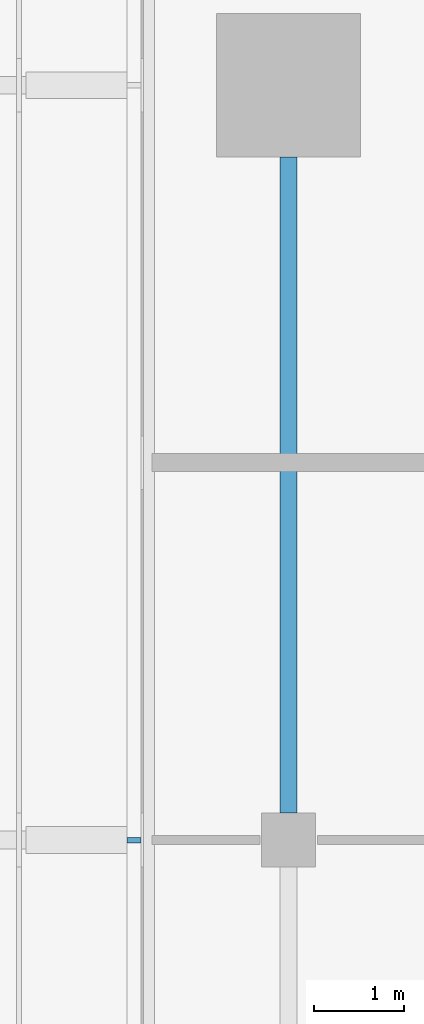
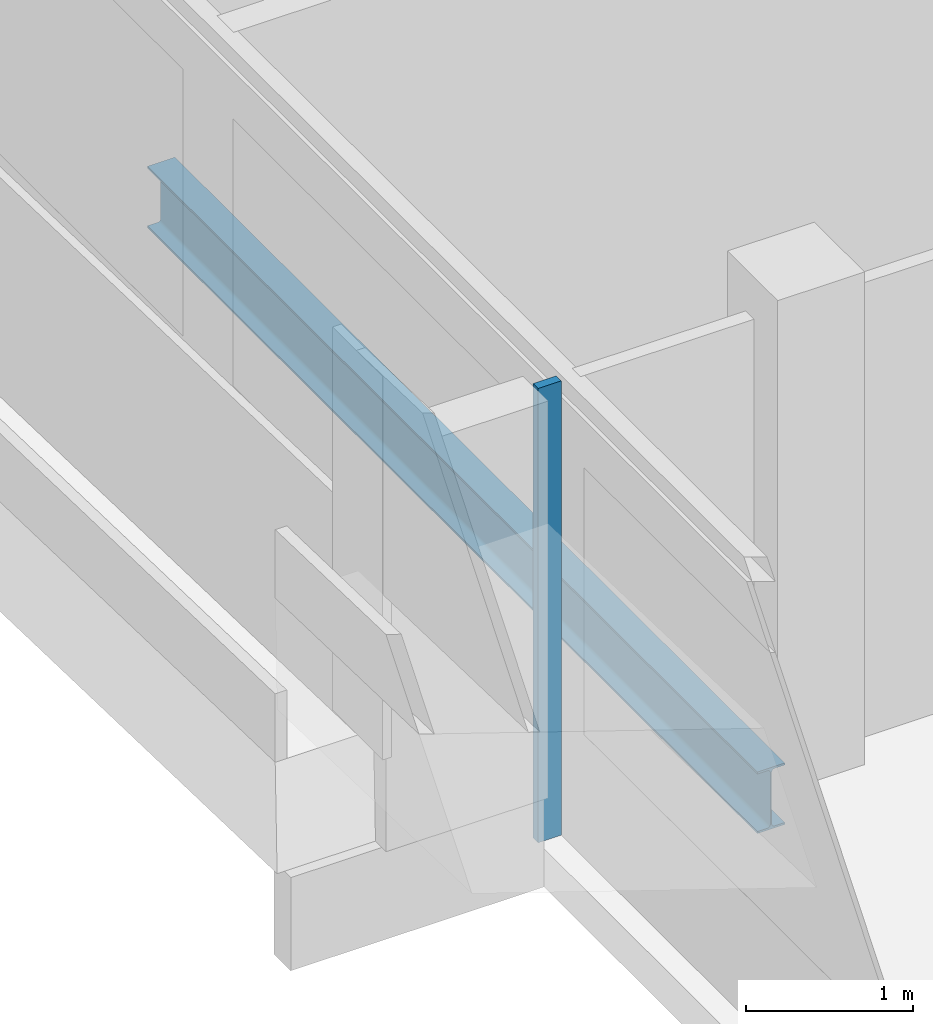
# One storey, part 4 of 28: 1 beam, 1 member, 1 element without a shape of its own.
"""IFC4 building model written with IfcOpenShell, lengths in metres."""

from ifc_helpers import new_model, si_unit, direction, frame, origin, origin_2d, place, context, subcontext, project, spatial, rectangle, i_section, extrude, material, material_profile, profile_set, type_object, element, aggregate, save


model = new_model("IFC4")

# Units and contexts
model_context = context("Model", 3, precision=1e-05, world=origin(), true_north=direction((0.0, 1.0)))
body_context = subcontext(model_context, "Body", "Model", "MODEL_VIEW")
ifc_project = project(units=[si_unit("LENGTHUNIT", "METRE"), si_unit("AREAUNIT", "SQUARE_METRE"), si_unit("VOLUMEUNIT", "CUBIC_METRE"), si_unit("PLANEANGLEUNIT", "RADIAN"), si_unit("MASSUNIT", "GRAM", prefix="KILO")], contexts=[model_context])

# Site, building, storey
site_placement = place(None, origin())
site = spatial("IfcSite", under=ifc_project, at=site_placement, CompositionType="ELEMENT")
building_placement = place(site_placement, origin())
building = spatial("IfcBuilding", under=site, at=building_placement, Name="Saffron Gate Tower", CompositionType="ELEMENT")
storey_placement = place(building_placement, frame((0.0, 0.0, 241.5)))
storey = spatial("IfcBuildingStorey", under=building, at=storey_placement, Name="L59", CompositionType="ELEMENT", Elevation=241.5)

# Beam
ifc_material_1 = material(Name="Structural steel S355", Category="steel")
ifc_material_profile_1 = material_profile(ifc_material_1, i_section(OverallWidth=0.18994140625, OverallDepth=0.449951171875, WebThickness=0.009521484375, FlangeThickness=0.0146484375, FilletRadius=0.02099609375, at=origin_2d()))
ifc_profile_set_1 = profile_set([ifc_material_profile_1], Name="Structural steel S355")
beam_type = type_object("IfcBeamType", Name="B7 IPE 450", PredefinedType="SPANDREL", material=ifc_profile_set_1)
beam_placement = place(storey_placement, frame((49.800048828125, 57.300048828125, -0.5048828125), z_axis=(0.0, 1.0, 0.0), x_axis=(-1.0, 0.0, 0.0)))
element("IfcBeam", 1, at=beam_placement, inside=storey, type_object=beam_type, Name="B7 SPANDREL BEAM", PredefinedType="SPANDREL", context=body_context, shape_type="SweptSolid", body=[
    extrude(i_section(OverallWidth=0.18994140625, OverallDepth=0.449951171875, WebThickness=0.009521484375, FlangeThickness=0.0146484375, FilletRadius=0.02099609375, at=origin_2d()), origin(), (0.0, 0.0, 1.0), 7.300048828125),
])

# Curtain wall, member
ifc_material_2 = material(Name="Aluminium, bronze anodised", Category="aluminium")
curtain_wall_type = type_object("IfcCurtainWallType", Name="CWS2 curtain wall side facades", PredefinedType="NOTDEFINED", material=ifc_material_2)
curtain_wall_placement = place(storey_placement, origin())
curtain_wall = element("IfcCurtainWall", 2, at=curtain_wall_placement, inside=storey, type_object=curtain_wall_type, Name="CWS2 run 10", PredefinedType="NOTDEFINED")
ifc_material_profile_2 = material_profile(ifc_material_2, rectangle(XDim=0.159912109375, YDim=0.06005859375, at=origin_2d()))
ifc_profile_set_2 = profile_set([ifc_material_profile_2], Name="Aluminium, bronze anodised")
member_type = type_object("IfcMemberType", Name="CWS2 mullion 60x160", PredefinedType="MULLION", material=ifc_profile_set_2)
member_placement = place(storey_placement, frame((48.080078125, 57.0, 0.0), z_axis=(0.0, 0.0, 1.0), x_axis=(1.0, 0.0, 0.0)))
member = element("IfcMember", 3, at=member_placement, type_object=member_type, Name="CWS2 mullion 3", PredefinedType="MULLION", context=body_context, shape_type="SweptSolid", body=[
    extrude(rectangle(XDim=0.159912109375, YDim=0.06005859375, at=origin_2d()), origin(), (0.0, 0.0, 1.0), 3.320068359375),
])
aggregate(curtain_wall, [member])

save(model, "model.ifc")
